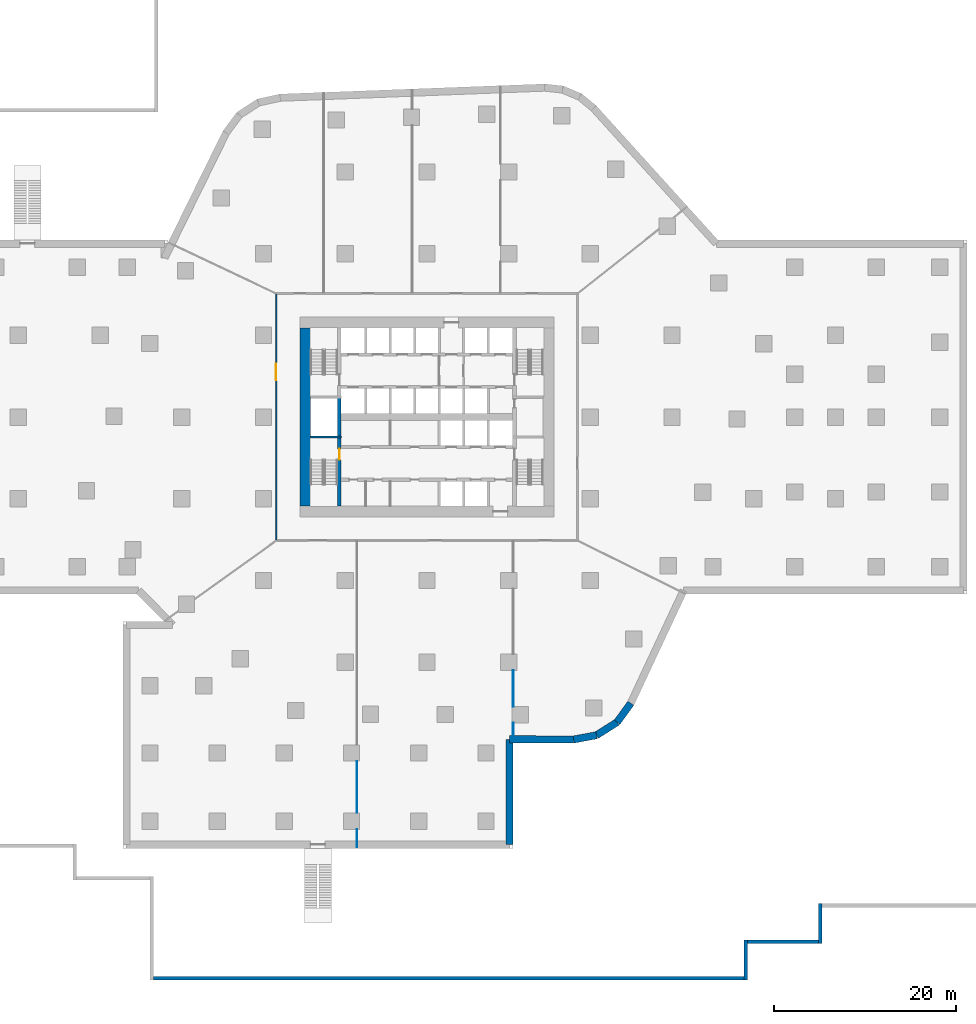
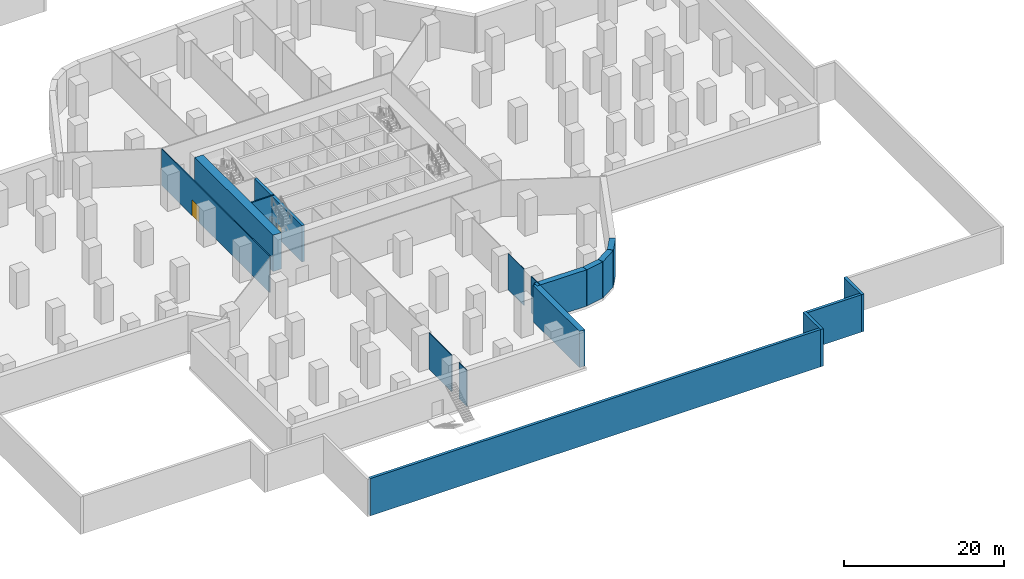
# One storey, part 3 of 11: 18 walls, 2 doors, 2 openings.
"""IFC4 building model written with IfcOpenShell, lengths in metres."""

from ifc_helpers import new_model, si_unit, direction, frame, frame_2d, origin, place, context, subcontext, project, spatial, rectangle, extrude, material, layer, layer_set, type_object, element, fill, save


model = new_model("IFC4")

# Units and contexts
model_context = context("Model", 3, precision=1e-05, world=origin(), true_north=direction((0.0, 1.0)))
body_context = subcontext(model_context, "Body", "Model", "MODEL_VIEW")
ifc_project = project(units=[si_unit("LENGTHUNIT", "METRE"), si_unit("AREAUNIT", "SQUARE_METRE"), si_unit("VOLUMEUNIT", "CUBIC_METRE"), si_unit("PLANEANGLEUNIT", "RADIAN"), si_unit("MASSUNIT", "GRAM", prefix="KILO")], contexts=[model_context])

# Site, building, storey
site_placement = place(None, origin())
site = spatial("IfcSite", under=ifc_project, at=site_placement, CompositionType="ELEMENT")
building_placement = place(site_placement, origin())
building = spatial("IfcBuilding", under=site, at=building_placement, Name="Dongbaek Canopy Tower", CompositionType="ELEMENT")
storey_placement = place(building_placement, frame((0.0, 0.0, -6.0)))
storey = spatial("IfcBuildingStorey", under=building, at=storey_placement, Name="B1", CompositionType="ELEMENT", Elevation=-6.0)

# Wall
ifc_material_1 = material(Name="Concrete C60/75", Category="concrete")
ifc_layer_1 = layer(ifc_material_1, 1.199951171875)
ifc_layer_set_1 = layer_set([ifc_layer_1], Name="Core outer wall 1200 Concrete C60/75")
wall_type_1 = type_object("IfcWallType", Name="Core outer wall 1200 Concrete C60/75", PredefinedType="SHEAR", material=ifc_layer_set_1)
wall_1_placement = place(storey_placement, frame((-13.39990234375, -9.800048828125, 0.0), z_axis=(0.0, 0.0, 1.0), x_axis=(0.0, 1.0, 0.0)))
element("IfcWall", 1, at=wall_1_placement, inside=storey, type_object=wall_type_1, Name="Core wall", PredefinedType="SHEAR", context=body_context, shape_type="SweptSolid", body=[
    extrude(rectangle(XDim=19.60009765625, YDim=1.199951171875, at=frame_2d((9.800048828125, 0.0))), origin(), (0.0, 0.0, 1.0), 5.550048828125),
])

# Wall, opening, door
ifc_material_2 = material(Name="Gypsum board partition, steel stud, 2 x 15 mm fire board", Category="steel")
ifc_layer_2 = layer(ifc_material_2, 0.14990234375)
ifc_layer_set_2 = layer_set([ifc_layer_2], Name="Fire-rated partition 150 gypsum board")
wall_type_2 = type_object("IfcWallType", Name="Fire-rated partition 150 gypsum board", PredefinedType="PARTITIONING", material=ifc_layer_set_2)
wall_2_placement = place(storey_placement, frame((-16.60009765625, -13.52490234375, 0.0), z_axis=(0.0, 0.0, 1.0), x_axis=(0.0, 1.0, 0.0)))
wall_2 = element("IfcWall", 2, at=wall_2_placement, inside=storey, type_object=wall_type_2, Name="Corridor partition", PredefinedType="PARTITIONING", context=body_context, shape_type="SweptSolid", body=[
    extrude(rectangle(XDim=27.0498046875, YDim=0.14990234375, at=frame_2d((13.52490234375, 0.0))), origin(), (0.0, 0.0, 1.0), 5.550048828125),
])
opening_1_placement = place(wall_2_placement, frame((17.60498046875, 0.0, 0.0)))
opening_1 = element("IfcOpeningElement", 3, at=opening_1_placement, cuts=wall_2, Name="Opening B1-D001", PredefinedType="OPENING", context=body_context, shape_type="SweptSolid", body=[
    extrude(rectangle(XDim=1.800048828125, YDim=2.39990234375, at=frame_2d((0.89990234375, 1.199951171875))), frame((0.0, 0.0849609375, 0.0), z_axis=(0.0, -1.0, 0.0), x_axis=(1.0, 0.0, 0.0)), (0.0, 0.0, 1.0), 0.169921875),
])
ifc_material_3 = material(Name="Timber veneered door leaf", Category="wood")
door_type_1 = type_object("IfcDoorType", Name="Hall double door 1800 x 2400", OperationType="DOUBLE_DOOR_SINGLE_SWING", PredefinedType="DOOR", material=ifc_material_3)
door_1_placement = place(opening_1_placement, origin())
door_1 = element("IfcDoor", 4, at=door_1_placement, inside=storey, type_object=door_type_1, Name="Door B1-D001", OperationType="DOUBLE_DOOR_SINGLE_SWING", OverallHeight=2.39990234375, OverallWidth=1.800048828125, PredefinedType="DOOR", context=body_context, shape_type="SweptSolid", body=[
    extrude(rectangle(XDim=1.800048828125, YDim=2.39990234375, at=frame_2d((0.89990234375, 1.199951171875))), frame((0.0, 0.02490234375, 0.0), z_axis=(0.0, -1.0, 0.0), x_axis=(1.0, 0.0, 0.0)), (0.0, 0.0, 1.0), 0.050048828125),
])
fill(opening_1, door_1)

# Walls
ifc_material_4 = material(Name="Gypsum board partition, steel stud, 2 x 12.5 mm board", Category="steel")
ifc_layer_3 = layer(ifc_material_4, 0.10009765625)
ifc_layer_set_3 = layer_set([ifc_layer_3], Name="Partition 100 gypsum board")
wall_type_3 = type_object("IfcWallType", Name="Partition 100 gypsum board", PredefinedType="PARTITIONING", material=ifc_layer_set_3)
wall_3_placement = place(storey_placement, frame((9.5, -35.766845703125, 0.0), z_axis=(0.0, 0.0, 1.0), x_axis=(0.0, 1.0, 0.0)))
element("IfcWall", 5, at=wall_3_placement, inside=storey, type_object=wall_type_3, Name="Partition", PredefinedType="PARTITIONING", context=body_context, shape_type="SweptSolid", body=[
    extrude(rectangle(XDim=2.076904296875, YDim=0.10009765625, at=frame_2d((1.03857421875, 0.0))), origin(), (0.0, 0.0, 1.0), 5.550048828125),
])
wall_4_placement = place(storey_placement, frame((9.5, -31.889892578125, 0.0), z_axis=(0.0, 0.0, 1.0), x_axis=(0.0, 1.0, 0.0)))
element("IfcWall", 6, at=wall_4_placement, inside=storey, type_object=wall_type_3, Name="Partition", PredefinedType="PARTITIONING", context=body_context, shape_type="SweptSolid", body=[
    extrude(rectangle(XDim=3.989990234375, YDim=0.10009765625, at=frame_2d((1.9951171875, 0.0))), origin(), (0.0, 0.0, 1.0), 5.550048828125),
])
wall_5_placement = place(storey_placement, frame((-7.699951171875, -47.3798828125, 0.0), z_axis=(0.0, 0.0, 1.0), x_axis=(0.0, 1.0, 0.0)))
element("IfcWall", 7, at=wall_5_placement, inside=storey, type_object=wall_type_3, Name="Partition", PredefinedType="PARTITIONING", context=body_context, shape_type="SweptSolid", body=[
    extrude(rectangle(XDim=1.97998046875, YDim=0.10009765625, at=frame_2d((0.989990234375, 0.0))), origin(), (0.0, 0.0, 1.0), 5.550048828125),
])
wall_6_placement = place(storey_placement, frame((-7.699951171875, -43.60009765625, 0.0), z_axis=(0.0, 0.0, 1.0), x_axis=(0.0, 1.0, 0.0)))
element("IfcWall", 8, at=wall_6_placement, inside=storey, type_object=wall_type_3, Name="Partition", PredefinedType="PARTITIONING", context=body_context, shape_type="SweptSolid", body=[
    extrude(rectangle(XDim=5.7001953125, YDim=0.10009765625, at=frame_2d((2.85009765625, 0.0))), origin(), (0.0, 0.0, 1.0), 5.550048828125),
])
ifc_material_5 = material(Name="Concrete C40/50", Category="concrete")
ifc_layer_4 = layer(ifc_material_5, 0.39990234375)
ifc_layer_set_4 = layer_set([ifc_layer_4], Name="Plaza plinth wall 400")
wall_type_4 = type_object("IfcWallType", Name="Plaza plinth wall 400", PredefinedType="SOLIDWALL", material=ifc_layer_set_4)
wall_7_placement = place(storey_placement, frame((-30.10009765625, -61.800048828125, 0.0), z_axis=(0.0, 0.0, 1.0), x_axis=(1.0, 0.0, 0.0)))
element("IfcWall", 9, at=wall_7_placement, inside=storey, type_object=wall_type_4, Name="Plaza plinth wall 1", PredefinedType="SOLIDWALL", context=body_context, shape_type="SweptSolid", body=[
    extrude(rectangle(XDim=65.0, YDim=0.39990234375, at=frame_2d((32.5, 0.0))), origin(), (0.0, 0.0, 1.0), 5.699951171875),
])
wall_8_placement = place(storey_placement, frame((35.10009765625, -62.0, 0.0), z_axis=(0.0, 0.0, 1.0), x_axis=(0.0, 1.0, 0.0)))
element("IfcWall", 10, at=wall_8_placement, inside=storey, type_object=wall_type_4, Name="Plaza plinth wall 2", PredefinedType="SOLIDWALL", context=body_context, shape_type="SweptSolid", body=[
    extrude(rectangle(XDim=4.39990234375, YDim=0.39990234375, at=frame_2d((2.199951171875, 0.0))), origin(), (0.0, 0.0, 1.0), 5.699951171875),
])
wall_9_placement = place(storey_placement, frame((35.300048828125, -57.800048828125, 0.0), z_axis=(0.0, 0.0, 1.0), x_axis=(1.0, 0.0, 0.0)))
element("IfcWall", 11, at=wall_9_placement, inside=storey, type_object=wall_type_4, Name="Plaza plinth wall 4", PredefinedType="SOLIDWALL", context=body_context, shape_type="SweptSolid", body=[
    extrude(rectangle(XDim=7.800048828125, YDim=0.39990234375, at=frame_2d((3.89990234375, 0.0))), origin(), (0.0, 0.0, 1.0), 5.699951171875),
])
wall_10_placement = place(storey_placement, frame((43.300048828125, -58.0, 0.0), z_axis=(0.0, 0.0, 1.0), x_axis=(0.0, 1.0, 0.0)))
element("IfcWall", 12, at=wall_10_placement, inside=storey, type_object=wall_type_4, Name="Plaza plinth wall 5", PredefinedType="SOLIDWALL", context=body_context, shape_type="SweptSolid", body=[
    extrude(rectangle(XDim=4.39990234375, YDim=0.39990234375, at=frame_2d((2.199951171875, 0.0))), origin(), (0.0, 0.0, 1.0), 5.699951171875),
])
ifc_material_6 = material(Name="Concrete C40", Category="concrete")
ifc_layer_5 = layer(ifc_material_6, 0.800048828125)
ifc_layer_set_5 = layer_set([ifc_layer_5], Name="RC RETAINING WALL 800 Concrete C40")
wall_type_5 = type_object("IfcWallType", Name="RC RETAINING WALL 800 Concrete C40", PredefinedType="SHEAR", material=ifc_layer_set_5)
wall_11_placement = place(storey_placement, frame((22.4580078125, -31.522216796875, 0.0), z_axis=(0.0, 0.0, 1.0), x_axis=(-0.587157005509, -0.809473069893, 0.0)))
element("IfcWall", 13, at=wall_11_placement, inside=storey, type_object=wall_type_5, Name="RWALL:B1:20", PredefinedType="SHEAR", context=body_context, shape_type="SweptSolid", body=[
    extrude(rectangle(XDim=2.576416015625, YDim=0.800048828125, at=frame_2d((1.2880859375, 0.0))), origin(), (0.0, 0.0, 1.0), 5.550048828125),
])
wall_12_placement = place(storey_placement, frame((20.9453125, -33.607666015625, 0.0), z_axis=(0.0, 0.0, 1.0), x_axis=(-0.845015067359, -0.534742494979, 0.0)))
element("IfcWall", 14, at=wall_12_placement, inside=storey, type_object=wall_type_5, Name="RWALL:B1:21", PredefinedType="SHEAR", context=body_context, shape_type="SweptSolid", body=[
    extrude(rectangle(XDim=2.68310546875, YDim=0.800048828125, at=frame_2d((1.341552734375, 0.0))), origin(), (0.0, 0.0, 1.0), 5.550048828125),
])
wall_13_placement = place(storey_placement, frame((18.677978515625, -35.04248046875, 0.0), z_axis=(0.0, 0.0, 1.0), x_axis=(-0.982922568448, -0.184019630572, 0.0)))
element("IfcWall", 15, at=wall_13_placement, inside=storey, type_object=wall_type_5, Name="RWALL:B1:22", PredefinedType="SHEAR", context=body_context, shape_type="SweptSolid", body=[
    extrude(rectangle(XDim=2.576416015625, YDim=0.800048828125, at=frame_2d((1.2880859375, 0.0))), origin(), (0.0, 0.0, 1.0), 5.550048828125),
])
wall_14_placement = place(storey_placement, frame((16.1455078125, -35.5166015625, 0.0), z_axis=(0.0, 0.0, 1.0), x_axis=(-0.999990008966, 0.004470119591, 0.0)))
element("IfcWall", 16, at=wall_14_placement, inside=storey, type_object=wall_type_5, Name="RWALL:B1:23", PredefinedType="SHEAR", context=body_context, shape_type="SweptSolid", body=[
    extrude(rectangle(XDim=7.04541015625, YDim=0.800048828125, at=frame_2d((3.522705078125, 0.0))), origin(), (0.0, 0.0, 1.0), 5.550048828125),
])
wall_15_placement = place(storey_placement, frame((9.10009765625, -35.485107421875, 0.0), z_axis=(0.0, 0.0, 1.0), x_axis=(0.0, -1.0, 0.0)))
element("IfcWall", 17, at=wall_15_placement, inside=storey, type_object=wall_type_5, Name="RWALL:B1:24", PredefinedType="SHEAR", context=body_context, shape_type="SweptSolid", body=[
    extrude(rectangle(XDim=11.614990234375, YDim=0.800048828125, at=frame_2d((5.8076171875, 0.0))), origin(), (0.0, 0.0, 1.0), 5.550048828125),
])
ifc_material_7 = material(Name="Concrete C60/75", Category="concrete")
ifc_layer_6 = layer(ifc_material_7, 0.199951171875)
ifc_layer_set_6 = layer_set([ifc_layer_6], Name="Riser wall 200 Concrete C60/75")
wall_type_6 = type_object("IfcWallType", Name="Riser wall 200 Concrete C60/75", PredefinedType="SHEAR", material=ifc_layer_set_6)
wall_16_placement = place(storey_placement, frame((-9.449951171875, -2.199951171875, 0.0), z_axis=(0.0, 0.0, 1.0), x_axis=(-1.0, 0.0, 0.0)))
element("IfcWall", 18, at=wall_16_placement, inside=storey, type_object=wall_type_6, Name="Riser wall", PredefinedType="SHEAR", context=body_context, shape_type="SweptSolid", body=[
    extrude(rectangle(XDim=3.35009765625, YDim=0.199951171875, at=frame_2d((1.675048828125, 0.0))), origin(), (0.0, 0.0, 1.0), 5.550048828125),
])

# Wall, opening, door
ifc_material_8 = material(Name="Concrete C60/75", Category="concrete")
ifc_layer_7 = layer(ifc_material_8, 0.39990234375)
ifc_layer_set_7 = layer_set([ifc_layer_7], Name="Stair wall 400 Concrete C60/75")
wall_type_7 = type_object("IfcWallType", Name="Stair wall 400 Concrete C60/75", PredefinedType="SHEAR", material=ifc_layer_set_7)
wall_17_placement = place(storey_placement, frame((-9.64990234375, -9.800048828125, 0.0), z_axis=(0.0, 0.0, 1.0), x_axis=(0.0, 1.0, 0.0)))
wall_17 = element("IfcWall", 19, at=wall_17_placement, inside=storey, type_object=wall_type_7, Name="Stair wall", PredefinedType="SHEAR", context=body_context, shape_type="SweptSolid", body=[
    extrude(rectangle(XDim=7.5, YDim=0.39990234375, at=frame_2d((3.75, 0.0))), origin(), (0.0, 0.0, 1.0), 5.550048828125),
])
opening_2_placement = place(wall_17_placement, frame((5.10009765625, 0.0, 0.0)))
opening_2 = element("IfcOpeningElement", 20, at=opening_2_placement, cuts=wall_17, Name="Opening B1-D041", PredefinedType="OPENING", context=body_context, shape_type="SweptSolid", body=[
    extrude(rectangle(XDim=1.199951171875, YDim=2.10009765625, at=frame_2d((0.60009765625, 1.050048828125))), frame((0.0, 0.2099609375, 0.0), z_axis=(0.0, -1.0, 0.0), x_axis=(1.0, 0.0, 0.0)), (0.0, 0.0, 1.0), 0.419921875),
])
ifc_material_9 = material(Name="Steel", Category="steel")
door_type_2 = type_object("IfcDoorType", Name="Stair door 1200 x 2100", OperationType="SINGLE_SWING_LEFT", PredefinedType="DOOR", material=ifc_material_9)
door_2_placement = place(opening_2_placement, origin())
door_2 = element("IfcDoor", 21, at=door_2_placement, inside=storey, type_object=door_type_2, Name="Stair D door", OperationType="SINGLE_SWING_LEFT", OverallHeight=2.10009765625, OverallWidth=1.199951171875, PredefinedType="DOOR", context=body_context, shape_type="SweptSolid", body=[
    extrude(rectangle(XDim=1.199951171875, YDim=2.10009765625, at=frame_2d((0.60009765625, 1.050048828125))), frame((0.0, 0.02490234375, 0.0), z_axis=(0.0, -1.0, 0.0), x_axis=(1.0, 0.0, 0.0)), (0.0, 0.0, 1.0), 0.050048828125),
])
fill(opening_2, door_2)

# Wall
wall_18_placement = place(storey_placement, frame((-9.64990234375, -2.10009765625, 0.0), z_axis=(0.0, 0.0, 1.0), x_axis=(0.0, 1.0, 0.0)))
element("IfcWall", 22, at=wall_18_placement, inside=storey, type_object=wall_type_7, Name="Stair wall", PredefinedType="SHEAR", context=body_context, shape_type="SweptSolid", body=[
    extrude(rectangle(XDim=4.2001953125, YDim=0.39990234375, at=frame_2d((2.10009765625, 0.0))), origin(), (0.0, 0.0, 1.0), 5.550048828125),
])

save(model, "model.ifc")
